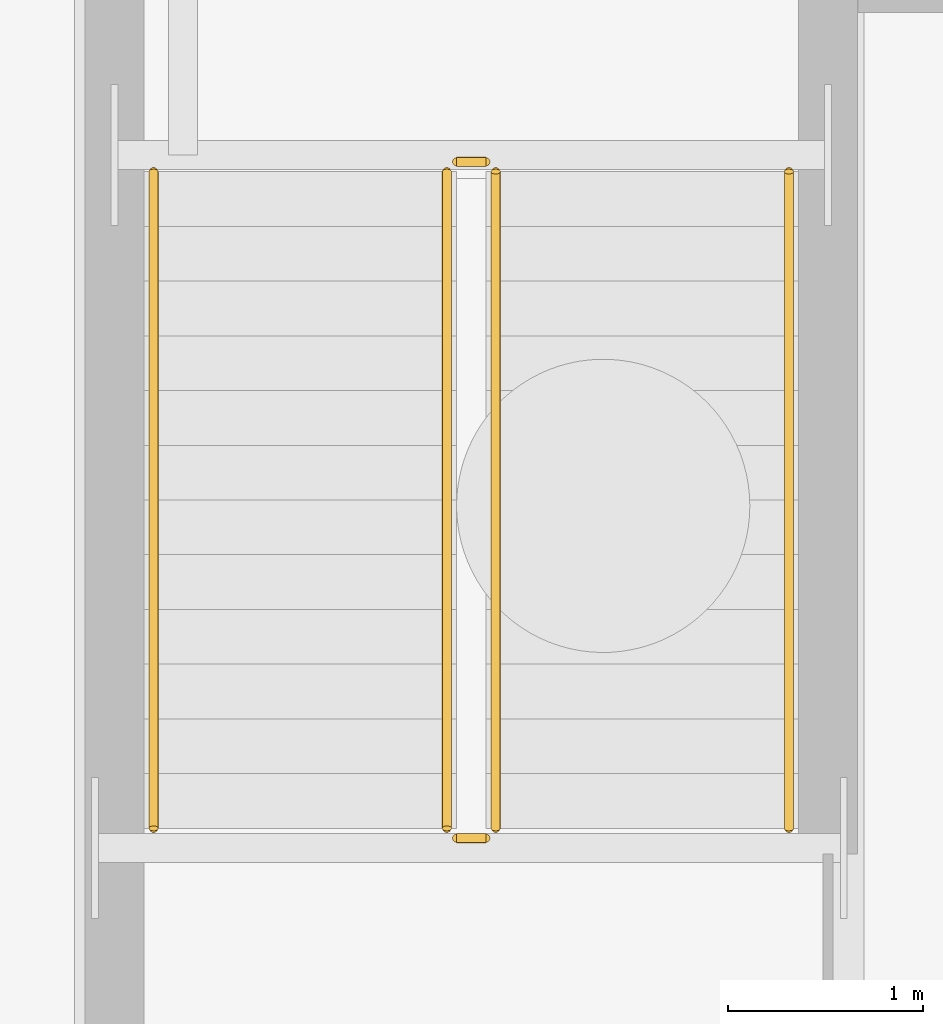
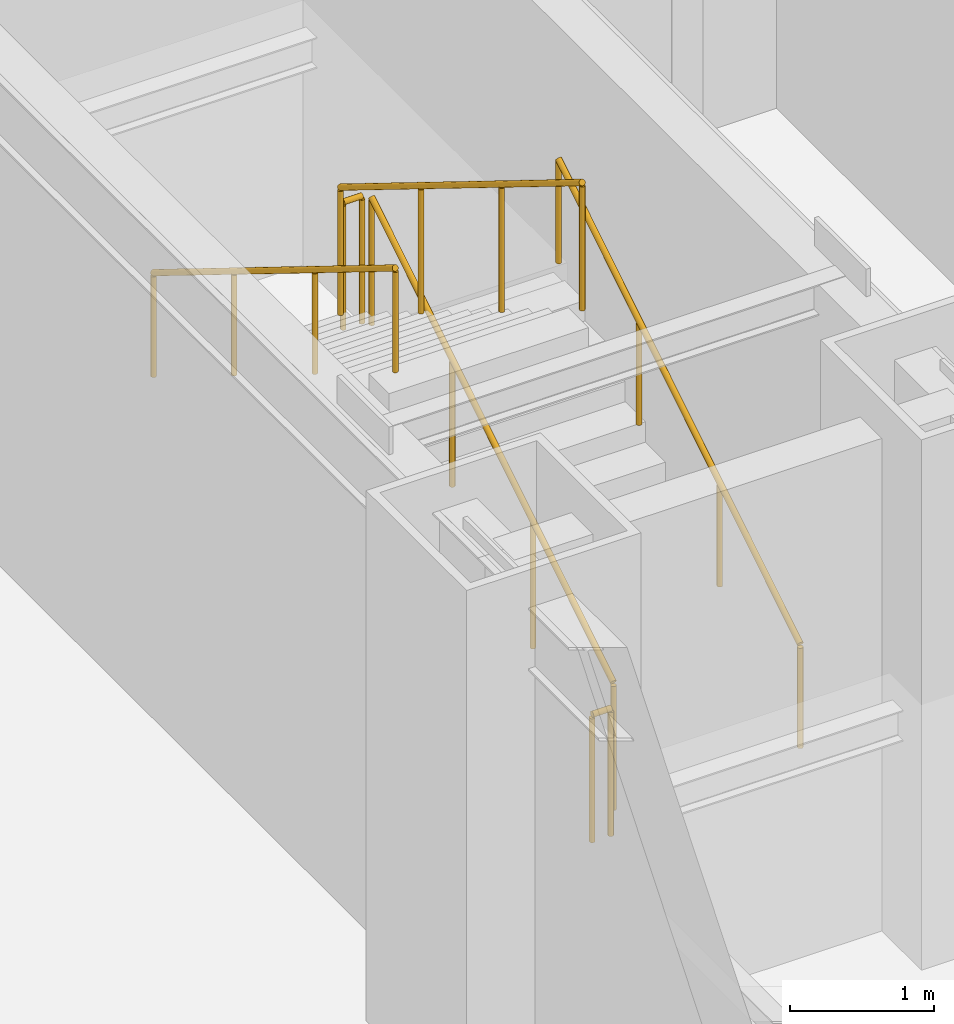
# One storey, part 14 of 15: 6 railings.
"""IFC4 building model written with IfcOpenShell, lengths in metres."""

from ifc_helpers import new_model, si_unit, direction, frame, origin, origin_2d, place, context, subcontext, project, spatial, circle, extrude, material, type_object, element, save


model = new_model("IFC4")

# Units and contexts
model_context = context("Model", 3, precision=1e-05, world=origin(), true_north=direction((0.0, 1.0)))
body_context = subcontext(model_context, "Body", "Model", "MODEL_VIEW")
ifc_project = project(units=[si_unit("LENGTHUNIT", "METRE"), si_unit("AREAUNIT", "SQUARE_METRE"), si_unit("VOLUMEUNIT", "CUBIC_METRE"), si_unit("PLANEANGLEUNIT", "RADIAN"), si_unit("MASSUNIT", "GRAM", prefix="KILO")], contexts=[model_context])

# Site, building, storey
site_placement = place(None, origin())
site = spatial("IfcSite", under=ifc_project, at=site_placement, CompositionType="ELEMENT")
building_placement = place(site_placement, origin())
building = spatial("IfcBuilding", under=site, at=building_placement, Name="Khamvora Tower", CompositionType="ELEMENT")
storey_placement = place(building_placement, frame((0.0, 0.0, -9.0)))
storey = spatial("IfcBuildingStorey", under=building, at=storey_placement, Name="B2", CompositionType="ELEMENT", Elevation=-9.0)

# Railings
ifc_material_1 = material(Name="Brushed Stainless Steel 316", Category="steel")
railing_type_1 = type_object("IfcRailingType", Name="RAL-HDR-920", PredefinedType="HANDRAIL", material=ifc_material_1)
railing_1_placement = place(storey_placement, frame((32.449951171875, 29.85009765625, 0.173095703125)))
element("IfcRailing", 1, at=railing_1_placement, inside=storey, type_object=railing_type_1, Name="B2 ST-02 stair handrail 1", PredefinedType="HANDRAIL", context=body_context, shape_type="SweptSolid", body=[
    extrude(circle(Radius=0.02392578125, at=origin_2d()), frame((0.0, 0.0, 0.8759765625), z_axis=(0.0, 0.850606129759, 0.525803396734), x_axis=(-1.0, 0.0, 0.0)), (0.0, 0.0, 1.0), 3.949951171875),
    extrude(circle(Radius=0.02099609375, at=origin_2d()), origin(), (0.0, 0.0, 1.0), 0.851806640625),
    extrude(circle(Radius=0.02099609375, at=origin_2d()), frame((0.0, 1.119873046875, 0.6923828125)), (0.0, 0.0, 1.0), 0.851806640625),
    extrude(circle(Radius=0.02099609375, at=origin_2d()), frame((0.0, 2.239990234375, 1.384521484375)), (0.0, 0.0, 1.0), 0.851806640625),
    extrude(circle(Radius=0.02099609375, at=origin_2d()), frame((0.0, 3.35986328125, 2.076904296875)), (0.0, 0.0, 1.0), 0.851806640625),
])
railing_2_placement = place(storey_placement, frame((29.199951171875, 33.2099609375, 2.423095703125)))
element("IfcRailing", 2, at=railing_2_placement, inside=storey, type_object=railing_type_1, Name="B2 ST-02 stair handrail 2", PredefinedType="HANDRAIL", context=body_context, shape_type="SweptSolid", body=[
    extrude(circle(Radius=0.02392578125, at=origin_2d()), frame((0.0, 0.0, 0.8759765625), z_axis=(0.0, -0.850606129759, 0.525803396734), x_axis=(1.0, 0.0, 0.0)), (0.0, 0.0, 1.0), 3.949951171875),
    extrude(circle(Radius=0.02099609375, at=origin_2d()), origin(), (0.0, 0.0, 1.0), 0.851806640625),
    extrude(circle(Radius=0.02099609375, at=origin_2d()), frame((0.0, -1.119873046875, 0.6923828125)), (0.0, 0.0, 1.0), 0.851806640625),
    extrude(circle(Radius=0.02099609375, at=origin_2d()), frame((0.0, -2.239990234375, 1.384521484375)), (0.0, 0.0, 1.0), 0.851806640625),
    extrude(circle(Radius=0.02099609375, at=origin_2d()), frame((0.0, -3.35986328125, 2.076904296875)), (0.0, 0.0, 1.0), 0.851806640625),
])
ifc_material_2 = material(Name="Stainless Steel 316", Category="steel")
railing_type_2 = type_object("IfcRailingType", Name="RAL-STG-1100", PredefinedType="GUARDRAIL", material=ifc_material_2)
railing_3_placement = place(storey_placement, frame((30.949951171875, 29.85009765625, 0.173095703125)))
element("IfcRailing", 3, at=railing_3_placement, inside=storey, type_object=railing_type_2, Name="B2 ST-02 stair guard 1", PredefinedType="GUARDRAIL", context=body_context, shape_type="SweptSolid", body=[
    extrude(circle(Radius=0.02392578125, at=origin_2d()), frame((0.0, 0.0, 1.076171875), z_axis=(0.0, 0.850606129759, 0.525803396734), x_axis=(-1.0, 0.0, 0.0)), (0.0, 0.0, 1.0), 3.949951171875),
    extrude(circle(Radius=0.02099609375, at=origin_2d()), origin(), (0.0, 0.0, 1.0), 1.052001953125),
    extrude(circle(Radius=0.02099609375, at=origin_2d()), frame((0.0, 1.119873046875, 0.6923828125)), (0.0, 0.0, 1.0), 1.052001953125),
    extrude(circle(Radius=0.02099609375, at=origin_2d()), frame((0.0, 2.239990234375, 1.384521484375)), (0.0, 0.0, 1.0), 1.052001953125),
    extrude(circle(Radius=0.02099609375, at=origin_2d()), frame((0.0, 3.35986328125, 2.076904296875)), (0.0, 0.0, 1.0), 1.052001953125),
])
railing_4_placement = place(storey_placement, frame((30.89990234375, 33.260009765625, 2.25)))
element("IfcRailing", 4, at=railing_4_placement, inside=storey, type_object=railing_type_2, Name="B2 ST-02 stair guard 2", PredefinedType="GUARDRAIL", context=body_context, shape_type="SweptSolid", body=[
    extrude(circle(Radius=0.02392578125, at=origin_2d()), frame((0.0, 0.0, 1.076171875), z_axis=(-1.0, 0.0, 0.0), x_axis=(0.0, -1.0, 0.0)), (0.0, 0.0, 1.0), 0.14990234375),
    extrude(circle(Radius=0.02099609375, at=origin_2d()), origin(), (0.0, 0.0, 1.0), 1.052001953125),
    extrude(circle(Radius=0.02099609375, at=origin_2d()), frame((-0.14990234375, 0.0, 0.0)), (0.0, 0.0, 1.0), 1.052001953125),
])
railing_5_placement = place(storey_placement, frame((30.699951171875, 33.2099609375, 2.423095703125)))
element("IfcRailing", 5, at=railing_5_placement, inside=storey, type_object=railing_type_2, Name="B2 ST-02 stair guard 3", PredefinedType="GUARDRAIL", context=body_context, shape_type="SweptSolid", body=[
    extrude(circle(Radius=0.02392578125, at=origin_2d()), frame((0.0, 0.0, 1.076171875), z_axis=(0.0, -0.850606129759, 0.525803396734), x_axis=(1.0, 0.0, 0.0)), (0.0, 0.0, 1.0), 3.949951171875),
    extrude(circle(Radius=0.02099609375, at=origin_2d()), origin(), (0.0, 0.0, 1.0), 1.052001953125),
    extrude(circle(Radius=0.02099609375, at=origin_2d()), frame((0.0, -1.119873046875, 0.6923828125)), (0.0, 0.0, 1.0), 1.052001953125),
    extrude(circle(Radius=0.02099609375, at=origin_2d()), frame((0.0, -2.239990234375, 1.384521484375)), (0.0, 0.0, 1.0), 1.052001953125),
    extrude(circle(Radius=0.02099609375, at=origin_2d()), frame((0.0, -3.35986328125, 2.076904296875)), (0.0, 0.0, 1.0), 1.052001953125),
])
railing_6_placement = place(storey_placement, frame((30.89990234375, 29.800048828125, 0.0)))
element("IfcRailing", 6, at=railing_6_placement, inside=storey, type_object=railing_type_2, Name="B2 ST-02 stair guard 4", PredefinedType="GUARDRAIL", context=body_context, shape_type="SweptSolid", body=[
    extrude(circle(Radius=0.02392578125, at=origin_2d()), frame((0.0, 0.0, 1.076171875), z_axis=(-1.0, 0.0, 0.0), x_axis=(0.0, -1.0, 0.0)), (0.0, 0.0, 1.0), 0.14990234375),
    extrude(circle(Radius=0.02099609375, at=origin_2d()), origin(), (0.0, 0.0, 1.0), 1.052001953125),
    extrude(circle(Radius=0.02099609375, at=origin_2d()), frame((-0.14990234375, 0.0, 0.0)), (0.0, 0.0, 1.0), 1.052001953125),
])

save(model, "model.ifc")
